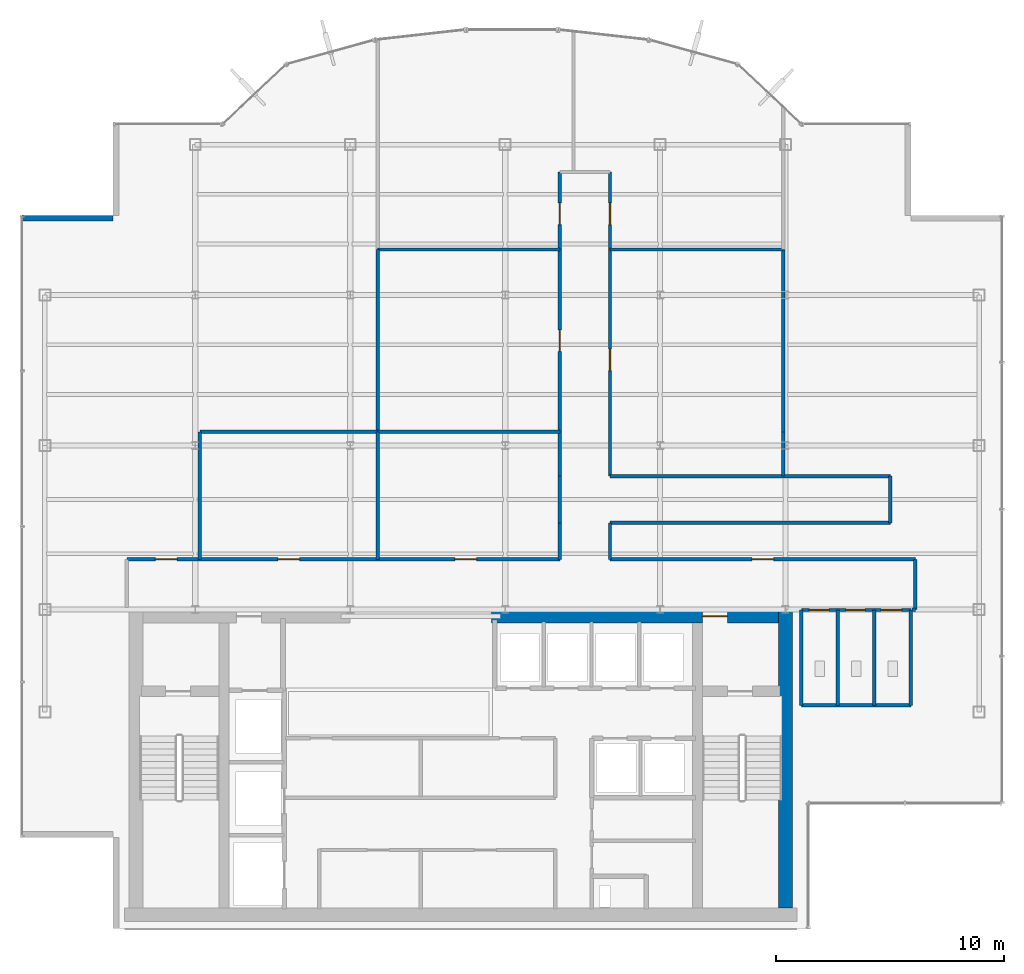
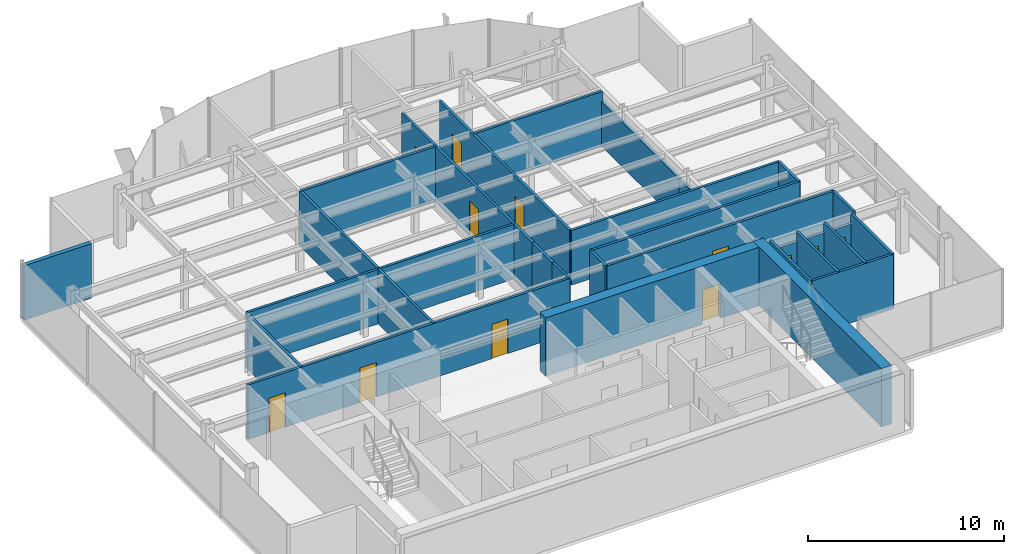
# One storey, part 18 of 22: 30 walls, 12 doors, 12 openings.
"""IFC4 building model written with IfcOpenShell, lengths in metres."""

from ifc_helpers import new_model, si_unit, derived_unit, direction, frame, frame_2d, origin, place, context, subcontext, project, spatial, rectangle, extrude, source, transform, mapped, material, layer, layer_set, type_object, element, fill, save


model = new_model("IFC4")

# Units and contexts
model_context = context("Model", 3, precision=1e-05, world=origin(), true_north=direction((0.0, 1.0)))
body_context = subcontext(model_context, "Body", "Model", "MODEL_VIEW")
ifc_project = project(units=[si_unit("LENGTHUNIT", "METRE"), si_unit("AREAUNIT", "SQUARE_METRE"), si_unit("VOLUMEUNIT", "CUBIC_METRE"), si_unit("PLANEANGLEUNIT", "RADIAN"), si_unit("MASSUNIT", "GRAM", prefix="KILO"), derived_unit("THERMALTRANSMITTANCEUNIT", [(si_unit("POWERUNIT", "WATT"), 1), (si_unit("LENGTHUNIT", "METRE"), -2), (si_unit("THERMODYNAMICTEMPERATUREUNIT", "KELVIN"), -1)])], contexts=[model_context])

# Site, building, storey
site_placement = place(None, origin())
site = spatial("IfcSite", under=ifc_project, at=site_placement, CompositionType="ELEMENT")
building_placement = place(site_placement, origin())
building = spatial("IfcBuilding", under=site, at=building_placement, Name="Skarnbrae Concourse Arena and Tower", CompositionType="ELEMENT")
storey_placement = place(building_placement, frame((0.0, 0.0, 217.800048828125)))
storey = spatial("IfcBuildingStorey", under=building, at=storey_placement, Name="L56", CompositionType="ELEMENT", Elevation=217.800048828125)

# Wall
ifc_material_1 = material(Name="Concrete 50 MPa (C50/60)", Category="concrete")
ifc_layer_1 = layer(ifc_material_1, 0.60009765625)
ifc_layer_set_1 = layer_set([ifc_layer_1], Name="Concrete 50 MPa (C50/60)")
wall_type_1 = type_object("IfcWallType", Name="WALL-CORE-600-C50", PredefinedType="SHEAR", material=ifc_layer_set_1)
shared_shape_1 = source(origin(), body_context, "Body", "SweptSolid", [
    extrude(rectangle(XDim=13.10009765625, YDim=0.60009765625, at=frame_2d((6.550048828125, 0.0))), origin(), (0.0, 0.0, 1.0), 3.64990234375),
])
wall_1_placement = place(storey_placement, frame((33.5, 0.89990234375, 0.0), z_axis=(0.0, 0.0, 1.0), x_axis=(0.0, 1.0, 0.0)))
element("IfcWall", 1, at=wall_1_placement, inside=storey, type_object=wall_type_1, Name="L56 Rear core shear wall CW-E", PredefinedType="SHEAR", context=body_context, shape_type="MappedRepresentation", body=[
    mapped(shared_shape_1, transform((0.0, 0.0, 0.0))),
])

# Wall, opening, door
shared_shape_2 = source(origin(), body_context, "Body", "SweptSolid", [
    extrude(rectangle(XDim=12.599853515625, YDim=0.60009765625, at=frame_2d((6.2998046875, 0.0))), origin(), (0.0, 0.0, 1.0), 3.64990234375),
])
wall_2_placement = place(storey_placement, frame((20.60009765625, 13.699951171875, 0.0), z_axis=(0.0, 0.0, 1.0), x_axis=(1.0, 0.0, 0.0)))
wall_2 = element("IfcWall", 2, at=wall_2_placement, inside=storey, type_object=wall_type_1, Name="L56 Rear core shear wall CW-NE", PredefinedType="SHEAR", context=body_context, shape_type="MappedRepresentation", body=[
    mapped(shared_shape_2, transform((0.0, 0.0, 0.0))),
])
opening_1_placement = place(wall_2_placement, frame((9.25, 0.0, 0.0)))
opening_1 = element("IfcOpeningElement", 3, at=opening_1_placement, cuts=wall_2, Name="Opening DT-03", PredefinedType="OPENING", context=body_context, shape_type="SweptSolid", body=[
    extrude(rectangle(XDim=1.10009765625, YDim=2.14990234375, at=frame_2d((0.550048828125, 1.074951171875))), frame((0.0, 0.31005859375, 0.0), z_axis=(0.0, -1.0, 0.0), x_axis=(1.0, 0.0, 0.0)), (0.0, 0.0, 1.0), 0.6201171875),
])
ifc_material_2 = material(Name="Steel CSA G40.21 350W", Category="steel")
door_type_1 = type_object("IfcDoorType", Name="DOOR-FIRE-1100-90M", OperationType="NOTDEFINED", PredefinedType="DOOR", material=ifc_material_2)
shared_shape_3 = source(origin(), body_context, "Body", "SweptSolid", [
    extrude(rectangle(XDim=1.10009765625, YDim=2.14990234375, at=frame_2d((0.550048828125, 1.074951171875))), frame((0.0, 0.02490234375, 0.0), z_axis=(0.0, -1.0, 0.0), x_axis=(1.0, 0.0, 0.0)), (0.0, 0.0, 1.0), 0.050048828125),
])
door_1_placement = place(opening_1_placement, origin())
door_1 = element("IfcDoor", 4, at=door_1_placement, inside=storey, type_object=door_type_1, Name="D-1704 Stair ST-2 Vestibule Door", OperationType="SINGLE_SWING_LEFT", OverallHeight=2.14990234375, OverallWidth=1.10009765625, PredefinedType="DOOR", context=body_context, shape_type="MappedRepresentation", body=[
    mapped(shared_shape_3, transform((0.0, 0.0, 0.0))),
])
fill(opening_1, door_1)

# Walls
ifc_material_3 = material(Name="Precast concrete 40 MPa (C40/50)", Category="concrete")
ifc_layer_2 = layer(ifc_material_3, 0.25)
ifc_layer_set_2 = layer_set([ifc_layer_2], Name="Precast concrete 40 MPa (C40/50)")
wall_type_2 = type_object("IfcWallType", Name="WALL-EXT-SPANDREL-250", PredefinedType="STANDARD", material=ifc_layer_set_2)
shared_shape_4 = source(origin(), body_context, "Body", "SweptSolid", [
    extrude(rectangle(XDim=4.0, YDim=0.25, at=frame_2d((2.0, 0.0))), origin(), (0.0, 0.0, 1.0), 3.39990234375),
])
wall_3_placement = place(storey_placement, frame((4.0, 31.175048828125, 0.0), z_axis=(0.0, 0.0, 1.0), x_axis=(-1.0, 0.0, 0.0)))
element("IfcWall", 5, at=wall_3_placement, inside=storey, type_object=wall_type_2, Name="L56 Notched corner insulated return wall 17", PredefinedType="STANDARD", context=body_context, shape_type="MappedRepresentation", body=[
    mapped(shared_shape_4, transform((0.0, 0.0, 0.0))),
])
ifc_material_4 = material(Name="Gypsum board on cold-formed steel studs", Category="steel")
ifc_layer_3 = layer(ifc_material_4, 0.14990234375)
ifc_layer_set_3 = layer_set([ifc_layer_3], Name="Gypsum board on cold-formed steel studs")
wall_type_3 = type_object("IfcWallType", Name="WALL-PART-150", PredefinedType="PARTITIONING", material=ifc_layer_set_3)
shared_shape_5 = source(origin(), body_context, "Body", "SweptSolid", [
    extrude(rectangle(XDim=4.800048828125, YDim=0.14990234375, at=frame_2d((2.39990234375, 0.0))), origin(), (0.0, 0.0, 1.0), 3.39990234375),
])
wall_4_placement = place(storey_placement, frame((34.199951171875, 9.800048828125, 0.0), z_axis=(0.0, 0.0, 1.0), x_axis=(1.0, 0.0, 0.0)))
element("IfcWall", 6, at=wall_4_placement, inside=storey, type_object=wall_type_3, Name="L56 Interior partition wall W-L56-WC-S", PredefinedType="PARTITIONING", context=body_context, shape_type="MappedRepresentation", body=[
    mapped(shared_shape_5, transform((0.0, 0.0, 0.0))),
])
shared_shape_6 = source(origin(), body_context, "Body", "SweptSolid", [
    extrude(rectangle(XDim=4.179931640625, YDim=0.14990234375, at=frame_2d((2.08984375, 0.0))), origin(), (0.0, 0.0, 1.0), 3.39990234375),
])
for number, where, z_axis, x_axis, name in (
    (7, (39.0, 9.800048828125, 0.0), (0.0, 0.0, 1.0), (0.0, 1.0, 0.0), "L56 Interior partition wall W-L56-WC-E"),
    (8, (34.199951171875, 9.800048828125, 0.0), (0.0, 0.0, 1.0), (0.0, 1.0, 0.0), "L56 Interior partition wall W-L56-WC-W"),
    (9, (35.800048828125, 9.800048828125, 0.0), (0.0, 0.0, 1.0), (0.0, 1.0, 0.0), "L56 Interior partition wall W-L56-WC-D1"),
    (10, (37.39990234375, 9.800048828125, 0.0), (0.0, 0.0, 1.0), (0.0, 1.0, 0.0), "L56 Interior partition wall W-L56-WC-D2"),
):
    element("IfcWall", number, at=place(storey_placement, frame(where, z_axis=z_axis, x_axis=x_axis)), inside=storey, type_object=wall_type_3, Name=name, PredefinedType="PARTITIONING", context=body_context, shape_type="MappedRepresentation", body=[
        mapped(shared_shape_6, transform((0.0, 0.0, 0.0))),
    ])
ifc_layer_4 = layer(ifc_material_4, 0.14990234375)
ifc_layer_set_4 = layer_set([ifc_layer_4], Name="Gypsum board on cold-formed steel studs")
wall_type_4 = type_object("IfcWallType", Name="WALL-PART-150-1HR", PredefinedType="PARTITIONING", material=ifc_layer_set_4)
shared_shape_7 = source(origin(), body_context, "Body", "SweptSolid", [
    extrude(rectangle(XDim=2.050048828125, YDim=0.14990234375, at=frame_2d((1.02490234375, 0.0))), origin(), (0.0, 0.0, 1.0), 3.39990234375),
])
for number, where, z_axis, x_axis, name in (
    (11, (23.60009765625, 17.800048828125, 0.0), (0.0, 0.0, 1.0), (0.0, 1.0, 0.0), "L56 Interior partition wall W-L56-COR-04"),
    (12, (38.10009765625, 19.85009765625, 0.0), (0.0, 0.0, 1.0), (0.0, -1.0, 0.0), "L56 Interior partition wall W-L56-COR-09"),
):
    element("IfcWall", number, at=place(storey_placement, frame(where, z_axis=z_axis, x_axis=x_axis)), inside=storey, type_object=wall_type_4, Name=name, PredefinedType="PARTITIONING", context=body_context, shape_type="MappedRepresentation", body=[
        mapped(shared_shape_7, transform((0.0, 0.0, 0.0))),
    ])
shared_shape_8 = source(origin(), body_context, "Body", "SweptSolid", [
    extrude(rectangle(XDim=2.199951171875, YDim=0.14990234375, at=frame_2d((1.10009765625, 0.0))), origin(), (0.0, 0.0, 1.0), 3.39990234375),
])
wall_5_placement = place(storey_placement, frame((39.199951171875, 16.199951171875, 0.0), z_axis=(0.0, 0.0, 1.0), x_axis=(0.0, -1.0, 0.0)))
element("IfcWall", 13, at=wall_5_placement, inside=storey, type_object=wall_type_4, Name="L56 Interior partition wall W-L56-COR-13", PredefinedType="PARTITIONING", context=body_context, shape_type="MappedRepresentation", body=[
    mapped(shared_shape_8, transform((0.0, 0.0, 0.0))),
])
shared_shape_9 = source(origin(), body_context, "Body", "SweptSolid", [
    extrude(rectangle(XDim=8.0, YDim=0.14990234375, at=frame_2d((4.0, 0.0))), origin(), (0.0, 0.0, 1.0), 3.39990234375),
])
for number, where, z_axis, x_axis, name in (
    (14, (15.60009765625, 21.800048828125, 0.0), (0.0, 0.0, 1.0), (1.0, 0.0, 0.0), "L56 Interior partition wall W-L56-DEM-18"),
    (15, (15.60009765625, 29.800048828125, 0.0), (0.0, 0.0, 1.0), (0.0, -1.0, 0.0), "L56 Interior partition wall W-L56-DEM-19"),
    (16, (15.60009765625, 29.800048828125, 0.0), (0.0, 0.0, 1.0), (1.0, 0.0, 0.0), "L56 Interior partition wall W-L56-DEM-20"),
):
    element("IfcWall", number, at=place(storey_placement, frame(where, z_axis=z_axis, x_axis=x_axis)), inside=storey, type_object=wall_type_3, Name=name, PredefinedType="PARTITIONING", context=body_context, shape_type="MappedRepresentation", body=[
        mapped(shared_shape_9, transform((0.0, 0.0, 0.0))),
    ])
shared_shape_10 = source(origin(), body_context, "Body", "SweptSolid", [
    extrude(rectangle(XDim=5.60009765625, YDim=0.14990234375, at=frame_2d((2.800048828125, 0.0))), origin(), (0.0, 0.0, 1.0), 3.39990234375),
])
for number, where, z_axis, x_axis, name in (
    (17, (7.800048828125, 21.800048828125, 0.0), (0.0, 0.0, 1.0), (0.0, -1.0, 0.0), "L56 Interior partition wall W-L56-DEM-16"),
    (18, (15.60009765625, 21.800048828125, 0.0), (0.0, 0.0, 1.0), (0.0, -1.0, 0.0), "L56 Interior partition wall W-L56-DEM-17"),
):
    element("IfcWall", number, at=place(storey_placement, frame(where, z_axis=z_axis, x_axis=x_axis)), inside=storey, type_object=wall_type_3, Name=name, PredefinedType="PARTITIONING", context=body_context, shape_type="MappedRepresentation", body=[
        mapped(shared_shape_10, transform((0.0, 0.0, 0.0))),
    ])

# Wall, openings, doors
shared_shape_11 = source(origin(), body_context, "Body", "SweptSolid", [
    extrude(rectangle(XDim=19.0, YDim=0.14990234375, at=frame_2d((9.5, 0.0))), origin(), (0.0, 0.0, 1.0), 3.39990234375),
])
wall_6_placement = place(storey_placement, frame((4.60009765625, 16.199951171875, 0.0), z_axis=(0.0, 0.0, 1.0), x_axis=(1.0, 0.0, 0.0)))
wall_6 = element("IfcWall", 19, at=wall_6_placement, inside=storey, type_object=wall_type_4, Name="L56 Interior partition wall W-L56-COR-02", PredefinedType="PARTITIONING", context=body_context, shape_type="MappedRepresentation", body=[
    mapped(shared_shape_11, transform((0.0, 0.0, 0.0))),
])
opening_2_placement = place(wall_6_placement, frame((1.2548828125, 0.0, 0.0)))
opening_2 = element("IfcOpeningElement", 20, at=opening_2_placement, cuts=wall_6, Name="Opening DT-04", PredefinedType="OPENING", context=body_context, shape_type="SweptSolid", body=[
    extrude(rectangle(XDim=0.949951171875, YDim=2.14990234375, at=frame_2d((0.47509765625, 1.074951171875))), frame((0.0, 0.0849609375, 0.0), z_axis=(0.0, -1.0, 0.0), x_axis=(1.0, 0.0, 0.0)), (0.0, 0.0, 1.0), 0.169921875),
])
opening_3_placement = place(wall_6_placement, frame((6.625, 0.0, 0.0)))
opening_3 = element("IfcOpeningElement", 21, at=opening_3_placement, cuts=wall_6, Name="Opening DT-04", PredefinedType="OPENING", context=body_context, shape_type="SweptSolid", body=[
    extrude(rectangle(XDim=0.949951171875, YDim=2.14990234375, at=frame_2d((0.47509765625, 1.074951171875))), frame((0.0, 0.0849609375, 0.0), z_axis=(0.0, -1.0, 0.0), x_axis=(1.0, 0.0, 0.0)), (0.0, 0.0, 1.0), 0.169921875),
])
opening_4_placement = place(wall_6_placement, frame((14.39501953125, 0.0, 0.0)))
opening_4 = element("IfcOpeningElement", 22, at=opening_4_placement, cuts=wall_6, Name="Opening DT-04", PredefinedType="OPENING", context=body_context, shape_type="SweptSolid", body=[
    extrude(rectangle(XDim=0.949951171875, YDim=2.14990234375, at=frame_2d((0.47509765625, 1.074951171875))), frame((0.0, 0.0849609375, 0.0), z_axis=(0.0, -1.0, 0.0), x_axis=(1.0, 0.0, 0.0)), (0.0, 0.0, 1.0), 0.169921875),
])
door_type_2 = type_object("IfcDoorType", Name="DOOR-INT-950-45M", OperationType="NOTDEFINED", PredefinedType="DOOR", material=ifc_material_2)
shared_shape_12 = source(origin(), body_context, "Body", "SweptSolid", [
    extrude(rectangle(XDim=0.949951171875, YDim=2.14990234375, at=frame_2d((0.47509765625, 1.074951171875))), frame((0.0, 0.02490234375, 0.0), z_axis=(0.0, -1.0, 0.0), x_axis=(1.0, 0.0, 0.0)), (0.0, 0.0, 1.0), 0.050048828125),
])
door_2_placement = place(opening_2_placement, origin())
door_2 = element("IfcDoor", 23, at=door_2_placement, inside=storey, type_object=door_type_2, Name="D-1723 L56 Suite Door 01", OperationType="SINGLE_SWING_RIGHT", OverallHeight=2.14990234375, OverallWidth=0.949951171875, PredefinedType="DOOR", context=body_context, shape_type="MappedRepresentation", body=[
    mapped(shared_shape_12, transform((0.0, 0.0, 0.0))),
])
fill(opening_2, door_2)
door_3_placement = place(opening_3_placement, origin())
door_3 = element("IfcDoor", 24, at=door_3_placement, inside=storey, type_object=door_type_2, Name="D-1724 L56 Suite Door 02", OperationType="SINGLE_SWING_LEFT", OverallHeight=2.14990234375, OverallWidth=0.949951171875, PredefinedType="DOOR", context=body_context, shape_type="MappedRepresentation", body=[
    mapped(shared_shape_12, transform((0.0, 0.0, 0.0))),
])
fill(opening_3, door_3)
door_4_placement = place(opening_4_placement, origin())
door_4 = element("IfcDoor", 25, at=door_4_placement, inside=storey, type_object=door_type_2, Name="D-1725 L56 Suite Door 03", OperationType="SINGLE_SWING_RIGHT", OverallHeight=2.14990234375, OverallWidth=0.949951171875, PredefinedType="DOOR", context=body_context, shape_type="MappedRepresentation", body=[
    mapped(shared_shape_12, transform((0.0, 0.0, 0.0))),
])
fill(opening_4, door_4)

# Wall
shared_shape_13 = source(origin(), body_context, "Body", "SweptSolid", [
    extrude(rectangle(XDim=7.800048828125, YDim=0.14990234375, at=frame_2d((3.89990234375, 0.0))), origin(), (0.0, 0.0, 1.0), 3.39990234375),
])
wall_7_placement = place(storey_placement, frame((15.60009765625, 21.800048828125, 0.0), z_axis=(0.0, 0.0, 1.0), x_axis=(-1.0, 0.0, 0.0)))
element("IfcWall", 26, at=wall_7_placement, inside=storey, type_object=wall_type_3, Name="L56 Interior partition wall W-L56-DEM-15", PredefinedType="PARTITIONING", context=body_context, shape_type="MappedRepresentation", body=[
    mapped(shared_shape_13, transform((0.0, 0.0, 0.0))),
])

# Wall, openings, doors
shared_shape_14 = source(origin(), body_context, "Body", "SweptSolid", [
    extrude(rectangle(XDim=4.800048828125, YDim=0.14990234375, at=frame_2d((2.39990234375, 0.0))), origin(), (0.0, 0.0, 1.0), 2.786865234375),
])
wall_8_placement = place(storey_placement, frame((34.199951171875, 13.97998046875, 0.0), z_axis=(0.0, 0.0, 1.0), x_axis=(1.0, 0.0, 0.0)))
wall_8 = element("IfcWall", 27, at=wall_8_placement, inside=storey, type_object=wall_type_3, Name="L56 Interior partition wall W-L56-WC-N", PredefinedType="PARTITIONING", context=body_context, shape_type="MappedRepresentation", body=[
    mapped(shared_shape_14, transform((0.0, 0.0, 0.0))),
])
opening_5_placement = place(wall_8_placement, frame((0.35009765625, 0.0, 0.0)))
opening_5 = element("IfcOpeningElement", 28, at=opening_5_placement, cuts=wall_8, Name="Opening DT-06", PredefinedType="OPENING", context=body_context, shape_type="SweptSolid", body=[
    extrude(rectangle(XDim=0.85009765625, YDim=2.10009765625, at=frame_2d((0.425048828125, 1.050048828125))), frame((0.0, 0.0849609375, 0.0), z_axis=(0.0, -1.0, 0.0), x_axis=(1.0, 0.0, 0.0)), (0.0, 0.0, 1.0), 0.169921875),
])
opening_6_placement = place(wall_8_placement, frame((1.949951171875, 0.0, 0.0)))
opening_6 = element("IfcOpeningElement", 29, at=opening_6_placement, cuts=wall_8, Name="Opening DT-06", PredefinedType="OPENING", context=body_context, shape_type="SweptSolid", body=[
    extrude(rectangle(XDim=0.85009765625, YDim=2.10009765625, at=frame_2d((0.425048828125, 1.050048828125))), frame((0.0, 0.0849609375, 0.0), z_axis=(0.0, -1.0, 0.0), x_axis=(1.0, 0.0, 0.0)), (0.0, 0.0, 1.0), 0.169921875),
])
opening_7_placement = place(wall_8_placement, frame((3.5, 0.0, 0.0)))
opening_7 = element("IfcOpeningElement", 30, at=opening_7_placement, cuts=wall_8, Name="Opening DT-05", PredefinedType="OPENING", context=body_context, shape_type="SweptSolid", body=[
    extrude(rectangle(XDim=0.89990234375, YDim=2.10009765625, at=frame_2d((0.449951171875, 1.050048828125))), frame((0.0, 0.0849609375, 0.0), z_axis=(0.0, -1.0, 0.0), x_axis=(1.0, 0.0, 0.0)), (0.0, 0.0, 1.0), 0.169921875),
])
ifc_material_5 = material(Name="Architectural oak veneer timber leaf", Category="wood")
door_type_3 = type_object("IfcDoorType", Name="DOOR-INT-850", OperationType="NOTDEFINED", PredefinedType="DOOR", material=ifc_material_5)
shared_shape_15 = source(origin(), body_context, "Body", "SweptSolid", [
    extrude(rectangle(XDim=0.85009765625, YDim=2.10009765625, at=frame_2d((0.425048828125, 1.050048828125))), frame((0.0, 0.02490234375, 0.0), z_axis=(0.0, -1.0, 0.0), x_axis=(1.0, 0.0, 0.0)), (0.0, 0.0, 1.0), 0.050048828125),
])
door_5_placement = place(opening_5_placement, frame((0.85009765625, 0.0, 0.0), z_axis=(0.0, 0.0, 1.0), x_axis=(-1.0, 0.0, 0.0)))
door_5 = element("IfcDoor", 31, at=door_5_placement, inside=storey, type_object=door_type_3, Name="D-1720 Male Washroom Door", OperationType="SINGLE_SWING_LEFT", OverallHeight=2.10009765625, OverallWidth=0.85009765625, PredefinedType="DOOR", context=body_context, shape_type="MappedRepresentation", body=[
    mapped(shared_shape_15, transform((0.0, 0.0, 0.0))),
])
fill(opening_5, door_5)
door_6_placement = place(opening_6_placement, frame((0.85009765625, 0.0, 0.0), z_axis=(0.0, 0.0, 1.0), x_axis=(-1.0, 0.0, 0.0)))
door_6 = element("IfcDoor", 32, at=door_6_placement, inside=storey, type_object=door_type_3, Name="D-1721 Female Washroom Door", OperationType="SINGLE_SWING_RIGHT", OverallHeight=2.10009765625, OverallWidth=0.85009765625, PredefinedType="DOOR", context=body_context, shape_type="MappedRepresentation", body=[
    mapped(shared_shape_15, transform((0.0, 0.0, 0.0))),
])
fill(opening_6, door_6)
door_type_4 = type_object("IfcDoorType", Name="DOOR-INT-900", OperationType="NOTDEFINED", PredefinedType="DOOR", material=ifc_material_5)
shared_shape_16 = source(origin(), body_context, "Body", "SweptSolid", [
    extrude(rectangle(XDim=0.89990234375, YDim=2.10009765625, at=frame_2d((0.449951171875, 1.050048828125))), frame((0.0, 0.02490234375, 0.0), z_axis=(0.0, -1.0, 0.0), x_axis=(1.0, 0.0, 0.0)), (0.0, 0.0, 1.0), 0.050048828125),
])
door_7_placement = place(opening_7_placement, frame((0.89990234375, 0.0, 0.0), z_axis=(0.0, 0.0, 1.0), x_axis=(-1.0, 0.0, 0.0)))
door_7 = element("IfcDoor", 33, at=door_7_placement, inside=storey, type_object=door_type_4, Name="D-1722 Accessible WC Door", OperationType="SINGLE_SWING_LEFT", OverallHeight=2.10009765625, OverallWidth=0.89990234375, PredefinedType="DOOR", context=body_context, shape_type="MappedRepresentation", body=[
    mapped(shared_shape_16, transform((0.0, 0.0, 0.0))),
])
fill(opening_7, door_7)

# Walls
shared_shape_17 = source(origin(), body_context, "Body", "SweptSolid", [
    extrude(rectangle(XDim=0.14990234375, YDim=0.14990234375, at=frame_2d((0.074951171875, 0.0))), origin(), (0.0, 0.0, 1.0), 3.39990234375),
])
wall_9_placement = place(storey_placement, frame((39.199951171875, 14.0, 0.0), z_axis=(0.0, 0.0, 1.0), x_axis=(-1.0, 0.0, 0.0)))
element("IfcWall", 34, at=wall_9_placement, inside=storey, type_object=wall_type_4, Name="L56 Interior partition wall W-L56-COR-14", PredefinedType="PARTITIONING", context=body_context, shape_type="MappedRepresentation", body=[
    mapped(shared_shape_17, transform((0.0, 0.0, 0.0))),
])
shared_shape_18 = source(origin(), body_context, "Body", "SweptSolid", [
    extrude(rectangle(XDim=1.60009765625, YDim=0.14990234375, at=frame_2d((0.800048828125, 0.0))), origin(), (0.0, 0.0, 1.0), 3.39990234375),
])
for number, where, z_axis, x_axis, name in (
    (35, (23.60009765625, 16.199951171875, 0.0), (0.0, 0.0, 1.0), (0.0, 1.0, 0.0), "L56 Interior partition wall W-L56-COR-03"),
    (36, (25.800048828125, 17.800048828125, 0.0), (0.0, 0.0, 1.0), (0.0, -1.0, 0.0), "L56 Interior partition wall W-L56-COR-11"),
):
    element("IfcWall", number, at=place(storey_placement, frame(where, z_axis=z_axis, x_axis=x_axis)), inside=storey, type_object=wall_type_4, Name=name, PredefinedType="PARTITIONING", context=body_context, shape_type="MappedRepresentation", body=[
        mapped(shared_shape_18, transform((0.0, 0.0, 0.0))),
    ])

# Wall, openings, doors
shared_shape_19 = source(origin(), body_context, "Body", "SweptSolid", [
    extrude(rectangle(XDim=13.349853515625, YDim=0.14990234375, at=frame_2d((6.6748046875, 0.0))), origin(), (0.0, 0.0, 1.0), 3.39990234375),
])
wall_10_placement = place(storey_placement, frame((23.60009765625, 19.85009765625, 0.0), z_axis=(0.0, 0.0, 1.0), x_axis=(0.0, 1.0, 0.0)))
wall_10 = element("IfcWall", 37, at=wall_10_placement, inside=storey, type_object=wall_type_4, Name="L56 Interior partition wall W-L56-COR-05", PredefinedType="PARTITIONING", context=body_context, shape_type="MappedRepresentation", body=[
    mapped(shared_shape_19, transform((0.0, 0.0, 0.0))),
])
opening_8_placement = place(wall_10_placement, frame((5.47509765625, 0.0, 0.0)))
opening_8 = element("IfcOpeningElement", 38, at=opening_8_placement, cuts=wall_10, Name="Opening DT-04", PredefinedType="OPENING", context=body_context, shape_type="SweptSolid", body=[
    extrude(rectangle(XDim=0.949951171875, YDim=2.14990234375, at=frame_2d((0.47509765625, 1.074951171875))), frame((0.0, 0.0849609375, 0.0), z_axis=(0.0, -1.0, 0.0), x_axis=(1.0, 0.0, 0.0)), (0.0, 0.0, 1.0), 0.169921875),
])
opening_9_placement = place(wall_10_placement, frame((11.044921875, 0.0, 0.0)))
opening_9 = element("IfcOpeningElement", 39, at=opening_9_placement, cuts=wall_10, Name="Opening DT-04", PredefinedType="OPENING", context=body_context, shape_type="SweptSolid", body=[
    extrude(rectangle(XDim=0.949951171875, YDim=2.14990234375, at=frame_2d((0.47509765625, 1.074951171875))), frame((0.0, 0.0849609375, 0.0), z_axis=(0.0, -1.0, 0.0), x_axis=(1.0, 0.0, 0.0)), (0.0, 0.0, 1.0), 0.169921875),
])
door_8_placement = place(opening_8_placement, origin())
door_8 = element("IfcDoor", 40, at=door_8_placement, inside=storey, type_object=door_type_2, Name="D-1726 L56 Suite Door 04", OperationType="SINGLE_SWING_LEFT", OverallHeight=2.14990234375, OverallWidth=0.949951171875, PredefinedType="DOOR", context=body_context, shape_type="MappedRepresentation", body=[
    mapped(shared_shape_12, transform((0.0, 0.0, 0.0))),
])
fill(opening_8, door_8)
door_9_placement = place(opening_9_placement, origin())
door_9 = element("IfcDoor", 41, at=door_9_placement, inside=storey, type_object=door_type_2, Name="D-1727 L56 Suite Door 05", OperationType="SINGLE_SWING_RIGHT", OverallHeight=2.14990234375, OverallWidth=0.949951171875, PredefinedType="DOOR", context=body_context, shape_type="MappedRepresentation", body=[
    mapped(shared_shape_12, transform((0.0, 0.0, 0.0))),
])
fill(opening_9, door_9)

wall_11_placement = place(storey_placement, frame((25.800048828125, 33.199951171875, 0.0), z_axis=(0.0, 0.0, 1.0), x_axis=(0.0, -1.0, 0.0)))
wall_11 = element("IfcWall", 42, at=wall_11_placement, inside=storey, type_object=wall_type_4, Name="L56 Interior partition wall W-L56-COR-07", PredefinedType="PARTITIONING", context=body_context, shape_type="MappedRepresentation", body=[
    mapped(shared_shape_19, transform((0.0, 0.0, 0.0))),
])
opening_10_placement = place(wall_11_placement, frame((1.35498046875, 0.0, 0.0)))
opening_10 = element("IfcOpeningElement", 43, at=opening_10_placement, cuts=wall_11, Name="Opening DT-04", PredefinedType="OPENING", context=body_context, shape_type="SweptSolid", body=[
    extrude(rectangle(XDim=0.949951171875, YDim=2.14990234375, at=frame_2d((0.47509765625, 1.074951171875))), frame((0.0, 0.0849609375, 0.0), z_axis=(0.0, -1.0, 0.0), x_axis=(1.0, 0.0, 0.0)), (0.0, 0.0, 1.0), 0.169921875),
])
opening_11_placement = place(wall_11_placement, frame((7.77001953125, 0.0, 0.0)))
opening_11 = element("IfcOpeningElement", 44, at=opening_11_placement, cuts=wall_11, Name="Opening DT-04", PredefinedType="OPENING", context=body_context, shape_type="SweptSolid", body=[
    extrude(rectangle(XDim=0.949951171875, YDim=2.14990234375, at=frame_2d((0.47509765625, 1.074951171875))), frame((0.0, 0.0849609375, 0.0), z_axis=(0.0, -1.0, 0.0), x_axis=(1.0, 0.0, 0.0)), (0.0, 0.0, 1.0), 0.169921875),
])
door_10_placement = place(opening_10_placement, origin())
door_10 = element("IfcDoor", 45, at=door_10_placement, inside=storey, type_object=door_type_2, Name="D-1728 L56 Suite Door 06", OperationType="SINGLE_SWING_LEFT", OverallHeight=2.14990234375, OverallWidth=0.949951171875, PredefinedType="DOOR", context=body_context, shape_type="MappedRepresentation", body=[
    mapped(shared_shape_12, transform((0.0, 0.0, 0.0))),
])
fill(opening_10, door_10)
door_11_placement = place(opening_11_placement, origin())
door_11 = element("IfcDoor", 46, at=door_11_placement, inside=storey, type_object=door_type_2, Name="D-1729 L56 Suite Door 07", OperationType="SINGLE_SWING_RIGHT", OverallHeight=2.14990234375, OverallWidth=0.949951171875, PredefinedType="DOOR", context=body_context, shape_type="MappedRepresentation", body=[
    mapped(shared_shape_12, transform((0.0, 0.0, 0.0))),
])
fill(opening_11, door_11)

# Walls
shared_shape_20 = source(origin(), body_context, "Body", "SweptSolid", [
    extrude(rectangle(XDim=12.300048828125, YDim=0.14990234375, at=frame_2d((6.14990234375, 0.0))), origin(), (0.0, 0.0, 1.0), 3.39990234375),
])
for number, where, z_axis, x_axis, name in (
    (47, (25.800048828125, 19.85009765625, 0.0), (0.0, 0.0, 1.0), (1.0, 0.0, 0.0), "L56 Interior partition wall W-L56-COR-08"),
    (48, (38.10009765625, 17.800048828125, 0.0), (0.0, 0.0, 1.0), (-1.0, 0.0, 0.0), "L56 Interior partition wall W-L56-COR-10"),
):
    element("IfcWall", number, at=place(storey_placement, frame(where, z_axis=z_axis, x_axis=x_axis)), inside=storey, type_object=wall_type_4, Name=name, PredefinedType="PARTITIONING", context=body_context, shape_type="MappedRepresentation", body=[
        mapped(shared_shape_20, transform((0.0, 0.0, 0.0))),
    ])

# Wall, opening, door
shared_shape_21 = source(origin(), body_context, "Body", "SweptSolid", [
    extrude(rectangle(XDim=13.39990234375, YDim=0.14990234375, at=frame_2d((6.699951171875, 0.0))), origin(), (0.0, 0.0, 1.0), 3.39990234375),
])
wall_12_placement = place(storey_placement, frame((25.800048828125, 16.199951171875, 0.0), z_axis=(0.0, 0.0, 1.0), x_axis=(1.0, 0.0, 0.0)))
wall_12 = element("IfcWall", 49, at=wall_12_placement, inside=storey, type_object=wall_type_4, Name="L56 Interior partition wall W-L56-COR-12", PredefinedType="PARTITIONING", context=body_context, shape_type="MappedRepresentation", body=[
    mapped(shared_shape_21, transform((0.0, 0.0, 0.0))),
])
opening_12_placement = place(wall_12_placement, frame((6.22509765625, 0.0, 0.0)))
opening_12 = element("IfcOpeningElement", 50, at=opening_12_placement, cuts=wall_12, Name="Opening DT-04", PredefinedType="OPENING", context=body_context, shape_type="SweptSolid", body=[
    extrude(rectangle(XDim=0.949951171875, YDim=2.14990234375, at=frame_2d((0.47509765625, 1.074951171875))), frame((0.0, 0.0849609375, 0.0), z_axis=(0.0, -1.0, 0.0), x_axis=(1.0, 0.0, 0.0)), (0.0, 0.0, 1.0), 0.169921875),
])
door_12_placement = place(opening_12_placement, origin())
door_12 = element("IfcDoor", 51, at=door_12_placement, inside=storey, type_object=door_type_2, Name="D-1730 L56 Suite Door 08", OperationType="SINGLE_SWING_LEFT", OverallHeight=2.14990234375, OverallWidth=0.949951171875, PredefinedType="DOOR", context=body_context, shape_type="MappedRepresentation", body=[
    mapped(shared_shape_12, transform((0.0, 0.0, 0.0))),
])
fill(opening_12, door_12)

# Walls
shared_shape_22 = source(origin(), body_context, "Body", "SweptSolid", [
    extrude(rectangle(XDim=7.599853515625, YDim=0.14990234375, at=frame_2d((3.7998046875, 0.0))), origin(), (0.0, 0.0, 1.0), 3.39990234375),
])
wall_13_placement = place(storey_placement, frame((33.39990234375, 29.800048828125, 0.0), z_axis=(0.0, 0.0, 1.0), x_axis=(-1.0, 0.0, 0.0)))
element("IfcWall", 52, at=wall_13_placement, inside=storey, type_object=wall_type_3, Name="L56 Interior partition wall W-L56-DEM-23", PredefinedType="PARTITIONING", context=body_context, shape_type="MappedRepresentation", body=[
    mapped(shared_shape_22, transform((0.0, 0.0, 0.0))),
])
shared_shape_23 = source(origin(), body_context, "Body", "SweptSolid", [
    extrude(rectangle(XDim=8.0, YDim=0.14990234375, at=frame_2d((4.0, 0.0))), origin(), (0.0, 0.0, 1.0), 2.786865234375),
])
wall_14_placement = place(storey_placement, frame((33.39990234375, 29.800048828125, 0.0), z_axis=(0.0, 0.0, 1.0), x_axis=(0.0, -1.0, 0.0)))
element("IfcWall", 53, at=wall_14_placement, inside=storey, type_object=wall_type_3, Name="L56 Interior partition wall W-L56-DEM-24", PredefinedType="PARTITIONING", context=body_context, shape_type="MappedRepresentation", body=[
    mapped(shared_shape_23, transform((0.0, 0.0, 0.0))),
])
shared_shape_24 = source(origin(), body_context, "Body", "SweptSolid", [
    extrude(rectangle(XDim=1.949951171875, YDim=0.14990234375, at=frame_2d((0.97509765625, 0.0))), origin(), (0.0, 0.0, 1.0), 2.786865234375),
])
wall_15_placement = place(storey_placement, frame((33.39990234375, 21.800048828125, 0.0), z_axis=(0.0, 0.0, 1.0), x_axis=(0.0, -1.0, 0.0)))
element("IfcWall", 54, at=wall_15_placement, inside=storey, type_object=wall_type_3, Name="L56 Interior partition wall W-L56-DEM-25", PredefinedType="PARTITIONING", context=body_context, shape_type="MappedRepresentation", body=[
    mapped(shared_shape_24, transform((0.0, 0.0, 0.0))),
])

save(model, "model.ifc")
